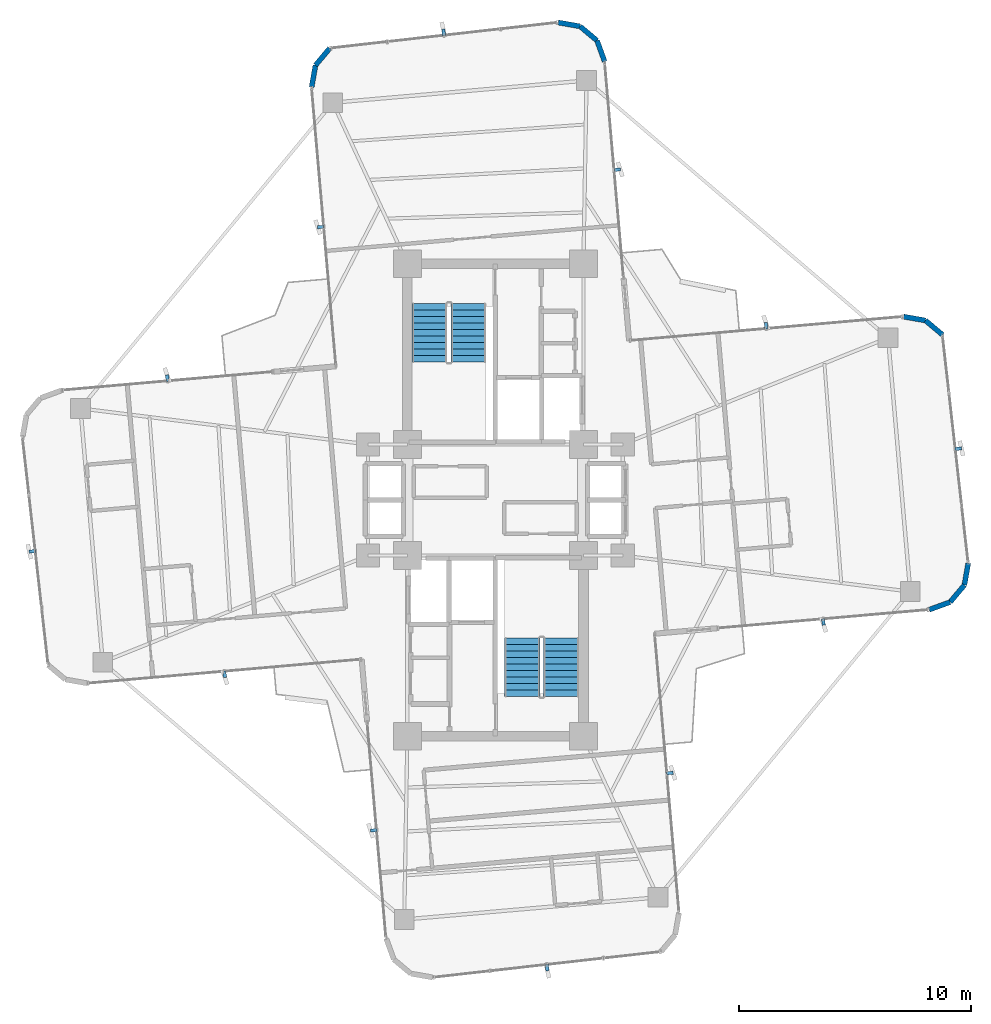
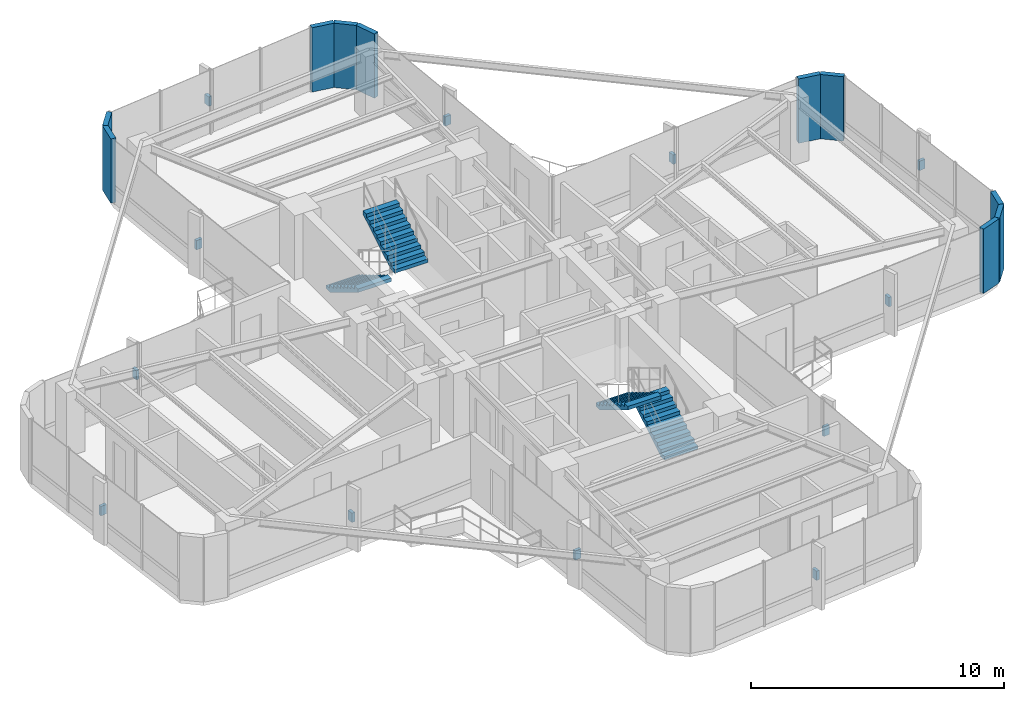
# One storey, part 23 of 24: 12 discrete accessories, 10 walls, 4 stair flights, 2 elements without a shape of their own.
"""IFC4 building model written with IfcOpenShell, lengths in metres."""

from ifc_helpers import new_model, si_unit, direction, frame, frame_2d, origin, origin_2d, place, context, subcontext, project, spatial, polyline, rectangle, outline, extrude, source, transform, mapped, material, layer, layer_set, type_object, element, aggregate, save


model = new_model("IFC4")

# Units and contexts
model_context = context("Model", 3, precision=1e-05, world=origin(), true_north=direction((0.0, 1.0)))
body_context = subcontext(model_context, "Body", "Model", "MODEL_VIEW")
ifc_project = project(units=[si_unit("LENGTHUNIT", "METRE"), si_unit("AREAUNIT", "SQUARE_METRE"), si_unit("VOLUMEUNIT", "CUBIC_METRE"), si_unit("PLANEANGLEUNIT", "RADIAN"), si_unit("MASSUNIT", "GRAM", prefix="KILO")], contexts=[model_context])

# Site, building, storey
site_placement = place(None, origin())
site = spatial("IfcSite", under=ifc_project, at=site_placement, CompositionType="ELEMENT")
building_placement = place(site_placement, origin())
building = spatial("IfcBuilding", under=site, at=building_placement, Name="Sahyath Konkavel Grand Hotel", CompositionType="ELEMENT")
storey_placement = place(building_placement, frame((0.0, 0.0, 195.300048828125)))
storey = spatial("IfcBuildingStorey", under=building, at=storey_placement, Name="L54", CompositionType="ELEMENT", Elevation=195.300048828125)

# Walls
ifc_material_1 = material(Name="Warm Buff Sandstone Insulated Concrete C40/50", Category="masonry")
ifc_layer = layer(ifc_material_1, 0.219970703125)
ifc_layer_set = layer_set([ifc_layer], Name="Warm Buff Sandstone Insulated Concrete C40/50")
wall_type = type_object("IfcWallType", Name="WLL-BALC-THRESH", PredefinedType="STANDARD", material=ifc_layer_set)
wall_1_placement = place(storey_placement, frame((18.73388671875, -4.735107421875, 0.0), z_axis=(0.0, 0.0, 1.0), x_axis=(0.939741306239, 0.34188635151, 0.0)))
element("IfcWall", 1, at=wall_1_placement, inside=storey, type_object=wall_type, Name="L54 Rounded Corner Sandstone Pier 1", PredefinedType="STANDARD", context=body_context, shape_type="SweptSolid", body=[
    extrude(rectangle(XDim=0.95751953125, YDim=0.219970703125, at=frame_2d((0.478759765625, 0.0))), origin(), (0.0, 0.0, 1.0), 3.10986328125),
])
for number, where, z_axis, x_axis, name in (
    (2, (19.6337890625, -4.40771484375, 0.0), (0.0, 0.0, 1.0), (0.642863236823, 0.765980978054, 0.0), "L54 Rounded Corner Sandstone Pier 2"),
    (3, (20.24951171875, -3.674072265625, 0.0), (0.0, 0.0, 1.0), (0.173610811841, 0.984814340885, 0.0), "L54 Rounded Corner Sandstone Pier 3"),
):
    element("IfcWall", number, at=place(storey_placement, frame(where, z_axis=z_axis, x_axis=x_axis)), inside=storey, type_object=wall_type, Name=name, PredefinedType="STANDARD", context=body_context, shape_type="SweptSolid", body=[
        extrude(rectangle(XDim=0.957763671875, YDim=0.219970703125, at=frame_2d((0.47900390625, 0.0))), origin(), (0.0, 0.0, 1.0), 3.10986328125),
    ])
wall_2_placement = place(storey_placement, frame((19.3037109375, 7.134521484375, 0.0), z_axis=(0.0, 0.0, 1.0), x_axis=(-0.766001159887, 0.642839189107, 0.0)))
element("IfcWall", 4, at=wall_2_placement, inside=storey, type_object=wall_type, Name="L54 Rounded Corner Sandstone Pier 5", PredefinedType="STANDARD", context=body_context, shape_type="SweptSolid", body=[
    extrude(rectangle(XDim=0.95751953125, YDim=0.219970703125, at=frame_2d((0.478759765625, 0.0))), origin(), (0.0, 0.0, 1.0), 3.10986328125),
])
wall_3_placement = place(storey_placement, frame((18.5703125, 7.75, 0.0), z_axis=(0.0, 0.0, 1.0), x_axis=(-0.984770724397, 0.173858046606, 0.0)))
element("IfcWall", 5, at=wall_3_placement, inside=storey, type_object=wall_type, Name="L54 Rounded Corner Sandstone Pier 6", PredefinedType="STANDARD", context=body_context, shape_type="SweptSolid", body=[
    extrude(rectangle(XDim=0.957763671875, YDim=0.219970703125, at=frame_2d((0.47900390625, 0.0))), origin(), (0.0, 0.0, 1.0), 3.10986328125),
])
wall_4_placement = place(storey_placement, frame((4.7177734375, 18.93310546875, 0.0), z_axis=(0.0, 0.0, 1.0), x_axis=(-0.34188635151, 0.939741306239, 0.0)))
element("IfcWall", 6, at=wall_4_placement, inside=storey, type_object=wall_type, Name="L54 Rounded Corner Sandstone Pier 9", PredefinedType="STANDARD", context=body_context, shape_type="SweptSolid", body=[
    extrude(rectangle(XDim=0.95751953125, YDim=0.219970703125, at=frame_2d((0.478759765625, 0.0))), origin(), (0.0, 0.0, 1.0), 3.10986328125),
])
for number, where, z_axis, x_axis, name in (
    (7, (4.390380859375, 19.8330078125, 0.0), (0.0, 0.0, 1.0), (-0.765980978054, 0.642863236823, 0.0), "L54 Rounded Corner Sandstone Pier 10"),
    (8, (3.65673828125, 20.44873046875, 0.0), (0.0, 0.0, 1.0), (-0.984814340885, 0.173610811841, 0.0), "L54 Rounded Corner Sandstone Pier 11"),
):
    element("IfcWall", number, at=place(storey_placement, frame(where, z_axis=z_axis, x_axis=x_axis)), inside=storey, type_object=wall_type, Name=name, PredefinedType="STANDARD", context=body_context, shape_type="SweptSolid", body=[
        extrude(rectangle(XDim=0.957763671875, YDim=0.219970703125, at=frame_2d((0.47900390625, 0.0))), origin(), (0.0, 0.0, 1.0), 3.10986328125),
    ])
for number, where, z_axis, x_axis, name in (
    (9, (-7.152099609375, 19.5029296875, 0.0), (0.0, 0.0, 1.0), (-0.642713642115, -0.766106503196, 0.0), "L54 Rounded Corner Sandstone Pier 13"),
    (10, (-7.767578125, 18.769287109375, 0.0), (0.0, 0.0, 1.0), (-0.173654409999, -0.984806654064, 0.0), "L54 Rounded Corner Sandstone Pier 14"),
):
    element("IfcWall", number, at=place(storey_placement, frame(where, z_axis=z_axis, x_axis=x_axis)), inside=storey, type_object=wall_type, Name=name, PredefinedType="STANDARD", context=body_context, shape_type="SweptSolid", body=[
        extrude(rectangle(XDim=0.95751953125, YDim=0.219970703125, at=frame_2d((0.478759765625, 0.0))), origin(), (0.0, 0.0, 1.0), 3.10986328125),
    ])

# Stair, stair flights
ifc_material_2 = material(Name="Concrete C40/50", Category="concrete")
stair_type = type_object("IfcStairType", Name="STR-ST16-335", PredefinedType="HALF_TURN_STAIR", material=ifc_material_2)
stair_1_placement = place(storey_placement, origin())
stair_1 = element("IfcStair", 11, at=stair_1_placement, inside=storey, type_object=stair_type, Name="L54 North Core Smokeproof Exit Stair ST-1", PredefinedType="HALF_TURN_STAIR")
stair_flight_type = type_object("IfcStairFlightType", Name="STF-ST16-335", PredefinedType="STRAIGHT", material=ifc_material_2)
stair_flight_1_placement = place(storey_placement, frame((-2.840087890625, 8.47998046875, 0.0), z_axis=(0.0, 0.0, 1.0), x_axis=(0.0, -1.0, 0.0)))
stair_flight_1 = element("IfcStairFlight", 12, at=stair_flight_1_placement, type_object=stair_flight_type, Name="ST-1 flight 1", NumberOfRisers=10, NumberOfTreads=9, PredefinedType="STRAIGHT", RiserHeight=0.1675, TreadLength=0.28, context=body_context, shape_type="SweptSolid", body=[
    extrude(outline(polyline([(0.0, 0.0), (0.0, 0.16748046875), (0.280029296875, 0.16748046875), (0.280029296875, 0.3349609375), (0.56005859375, 0.3349609375), (0.56005859375, 0.50244140625), (0.840087890625, 0.50244140625), (0.840087890625, 0.669921875), (1.1201171875, 0.669921875), (1.1201171875, 0.83740234375), (1.39990234375, 0.83740234375), (1.39990234375, 1.0048828125), (1.679931640625, 1.0048828125), (1.679931640625, 1.172607421875), (1.9599609375, 1.172607421875), (1.9599609375, 1.340087890625), (2.239990234375, 1.340087890625), (2.239990234375, 1.507568359375), (2.52001953125, 1.507568359375), (2.52001953125, 1.675048828125), (2.52001953125, 1.332763671875), (0.2919921875, 0.0), (0.0, 0.0)])), frame((0.0, 0.760009765625, 0.0), z_axis=(0.0, -1.0, 0.0), x_axis=(1.0, 0.0, 0.0)), (0.0, 0.0, 1.0), 1.52001953125),
])
stair_flight_2_placement = place(storey_placement, frame((-1.159912109375, 5.9599609375, 1.675048828125), z_axis=(0.0, 0.0, 1.0), x_axis=(0.0, 1.0, 0.0)))
stair_flight_2 = element("IfcStairFlight", 13, at=stair_flight_2_placement, type_object=stair_flight_type, Name="ST-1 flight 2", NumberOfRisers=10, NumberOfTreads=9, PredefinedType="STRAIGHT", RiserHeight=0.1675, TreadLength=0.28, context=body_context, shape_type="SweptSolid", body=[
    extrude(outline(polyline([(0.0, 0.0), (0.0, 0.16748046875), (0.280029296875, 0.16748046875), (0.280029296875, 0.3349609375), (0.56005859375, 0.3349609375), (0.56005859375, 0.50244140625), (0.840087890625, 0.50244140625), (0.840087890625, 0.669921875), (1.1201171875, 0.669921875), (1.1201171875, 0.83740234375), (1.39990234375, 0.83740234375), (1.39990234375, 1.0048828125), (1.679931640625, 1.0048828125), (1.679931640625, 1.172607421875), (1.9599609375, 1.172607421875), (1.9599609375, 1.340087890625), (2.239990234375, 1.340087890625), (2.239990234375, 1.507568359375), (2.52001953125, 1.507568359375), (2.52001953125, 1.675048828125), (2.52001953125, 1.332763671875), (0.2919921875, 0.0), (0.0, 0.0)])), frame((0.0, 0.760009765625, 0.0), z_axis=(0.0, -1.0, 0.0), x_axis=(1.0, 0.0, 0.0)), (0.0, 0.0, 1.0), 1.52001953125),
])
aggregate(stair_1, [stair_flight_1, stair_flight_2])

stair_2_placement = place(storey_placement, origin())
stair_2 = element("IfcStair", 14, at=stair_2_placement, inside=storey, type_object=stair_type, Name="L54 South Core Smokeproof Exit Stair ST-2", PredefinedType="HALF_TURN_STAIR")
stair_flight_3_placement = place(storey_placement, frame((2.840087890625, -8.47998046875, 0.0), z_axis=(0.0, 0.0, 1.0), x_axis=(0.0, 1.0, 0.0)))
stair_flight_3 = element("IfcStairFlight", 15, at=stair_flight_3_placement, type_object=stair_flight_type, Name="ST-2 flight 1", NumberOfRisers=10, NumberOfTreads=9, PredefinedType="STRAIGHT", RiserHeight=0.1675, TreadLength=0.28, context=body_context, shape_type="SweptSolid", body=[
    extrude(outline(polyline([(0.0, 0.0), (0.0, 0.16748046875), (0.280029296875, 0.16748046875), (0.280029296875, 0.3349609375), (0.56005859375, 0.3349609375), (0.56005859375, 0.50244140625), (0.840087890625, 0.50244140625), (0.840087890625, 0.669921875), (1.1201171875, 0.669921875), (1.1201171875, 0.83740234375), (1.39990234375, 0.83740234375), (1.39990234375, 1.0048828125), (1.679931640625, 1.0048828125), (1.679931640625, 1.172607421875), (1.9599609375, 1.172607421875), (1.9599609375, 1.340087890625), (2.239990234375, 1.340087890625), (2.239990234375, 1.507568359375), (2.52001953125, 1.507568359375), (2.52001953125, 1.675048828125), (2.52001953125, 1.332763671875), (0.2919921875, 0.0), (0.0, 0.0)])), frame((0.0, 0.760009765625, 0.0), z_axis=(0.0, -1.0, 0.0), x_axis=(1.0, 0.0, 0.0)), (0.0, 0.0, 1.0), 1.52001953125),
])
stair_flight_4_placement = place(storey_placement, frame((1.159912109375, -5.9599609375, 1.675048828125), z_axis=(0.0, 0.0, 1.0), x_axis=(0.0, -1.0, 0.0)))
stair_flight_4 = element("IfcStairFlight", 16, at=stair_flight_4_placement, type_object=stair_flight_type, Name="ST-2 flight 2", NumberOfRisers=10, NumberOfTreads=9, PredefinedType="STRAIGHT", RiserHeight=0.1675, TreadLength=0.28, context=body_context, shape_type="SweptSolid", body=[
    extrude(outline(polyline([(0.0, 0.0), (0.0, 0.16748046875), (0.280029296875, 0.16748046875), (0.280029296875, 0.3349609375), (0.56005859375, 0.3349609375), (0.56005859375, 0.50244140625), (0.840087890625, 0.50244140625), (0.840087890625, 0.669921875), (1.1201171875, 0.669921875), (1.1201171875, 0.83740234375), (1.39990234375, 0.83740234375), (1.39990234375, 1.0048828125), (1.679931640625, 1.0048828125), (1.679931640625, 1.172607421875), (1.9599609375, 1.172607421875), (1.9599609375, 1.340087890625), (2.239990234375, 1.340087890625), (2.239990234375, 1.507568359375), (2.52001953125, 1.507568359375), (2.52001953125, 1.675048828125), (2.52001953125, 1.332763671875), (0.2919921875, 0.0), (0.0, 0.0)])), frame((0.0, 0.760009765625, 0.0), z_axis=(0.0, -1.0, 0.0), x_axis=(1.0, 0.0, 0.0)), (0.0, 0.0, 1.0), 1.52001953125),
])
aggregate(stair_2, [stair_flight_3, stair_flight_4])

# Discrete accessories
ifc_material_3 = material(Name="Steel E350", Category="steel")
discrete_accessory_type = type_object("IfcDiscreteAccessoryType", Name="ACC-FIN-BRACKET", PredefinedType="BRACKET", material=ifc_material_3)
shared_shape = source(origin(), body_context, "Body", "SweptSolid", [
    extrude(rectangle(XDim=0.280029296875, YDim=0.139892578125, at=origin_2d()), origin(), (0.0, 0.0, 1.0), 0.449951171875),
])
for number, where, z_axis, x_axis, name in (
    (17, (14.162841796875, -5.265625, 1.330078125), (0.0, 0.0, 1.0), (0.087155742748, -0.996194698092, 0.0), "L54 Fin Support Bracket F0-1"),
    (18, (19.989013671875, 2.21630859375, 1.330078125), (0.0, 0.0, 1.0), (0.993709417943, 0.111989252568, 0.0), "L54 Fin Support Bracket F4-2"),
    (19, (11.6884765625, 7.52734375, 1.330078125), (0.0, 0.0, 1.0), (-0.087155742748, 0.996194698092, 0.0), "L54 Fin Support Bracket F7-1"),
    (20, (5.2568359375, 14.262451171875, 1.330078125), (0.0, 0.0, 1.0), (0.996194698092, 0.087155742748, 0.0), "L54 Fin Support Bracket F8-1"),
    (21, (-2.23388671875, 20.188232421875, 1.330078125), (0.0, 0.0, 1.0), (-0.112006596052, 0.993707463211, 0.0), "L54 Fin Support Bracket F12-2"),
    (22, (-7.5361328125, 11.7880859375, 1.330078125), (0.0, 0.0, 1.0), (-0.996194698092, -0.087155742748, 0.0), "L54 Fin Support Bracket F15-1"),
    (23, (-14.162841796875, 5.265625, 1.330078125), (0.0, 0.0, 1.0), (-0.087155742748, 0.996194698092, 0.0), "L54 Fin Support Bracket F16-1"),
    (24, (-19.989013671875, -2.21630859375, 1.330078125), (0.0, 0.0, 1.0), (-0.993709417943, -0.111989252568, 0.0), "L54 Fin Support Bracket F20-2"),
    (25, (-11.6884765625, -7.52734375, 1.330078125), (0.0, 0.0, 1.0), (0.087155742748, -0.996194698092, 0.0), "L54 Fin Support Bracket F23-1"),
    (26, (-5.2568359375, -14.262451171875, 1.330078125), (0.0, 0.0, 1.0), (-0.996194698092, -0.087155742748, 0.0), "L54 Fin Support Bracket F24-1"),
    (27, (2.23388671875, -20.188232421875, 1.330078125), (0.0, 0.0, 1.0), (0.112006596052, -0.993707463211, 0.0), "L54 Fin Support Bracket F28-2"),
    (28, (7.5361328125, -11.7880859375, 1.330078125), (0.0, 0.0, 1.0), (0.996194698092, 0.087155742748, 0.0), "L54 Fin Support Bracket F31-1"),
):
    element("IfcDiscreteAccessory", number, at=place(storey_placement, frame(where, z_axis=z_axis, x_axis=x_axis)), inside=storey, type_object=discrete_accessory_type, Name=name, PredefinedType="BRACKET", context=body_context, shape_type="MappedRepresentation", body=[
        mapped(shared_shape, transform((0.0, 0.0, 0.0), scale=1.0)),
    ])

save(model, "model.ifc")
